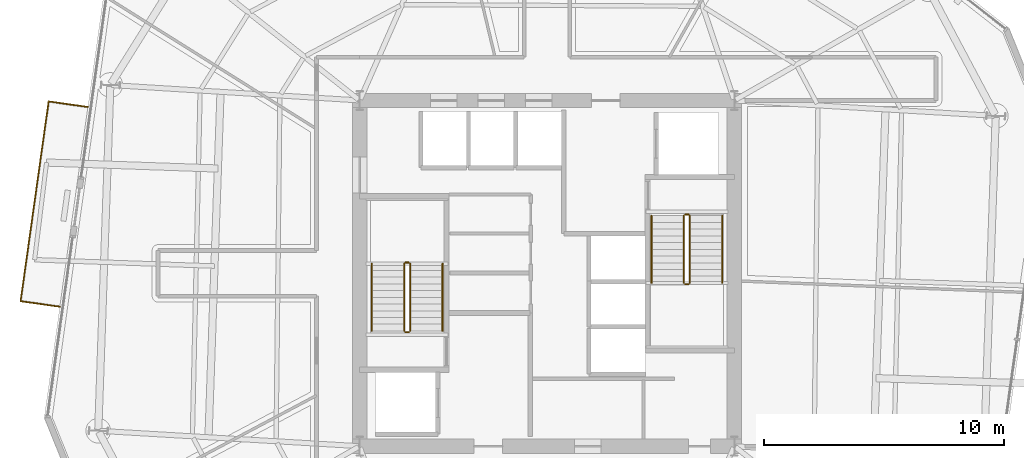
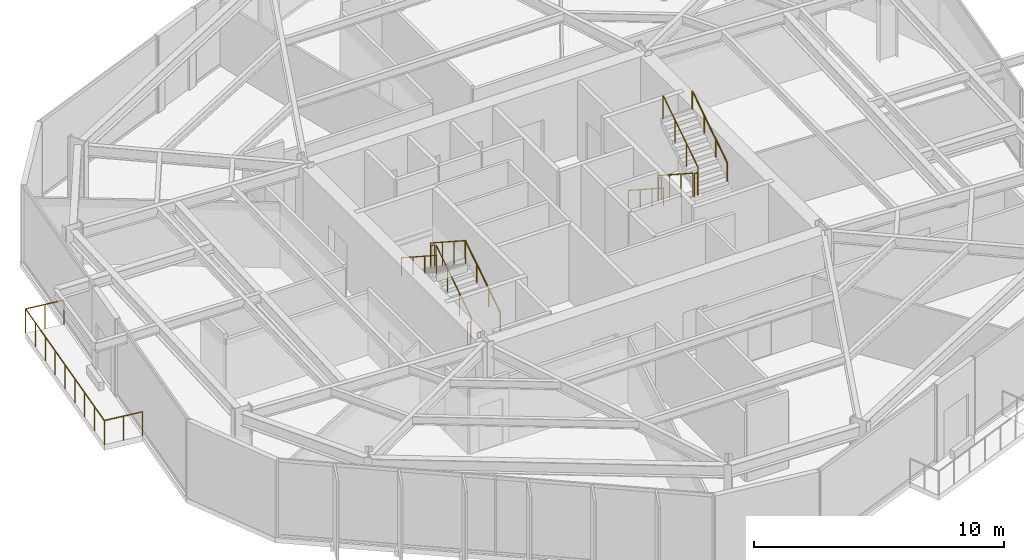
# One storey, part 11 of 12: 13 railings.
"""IFC4 building model written with IfcOpenShell, lengths in metres."""

import ifcopenshell
import ifcopenshell.guid

model = None  # the IFC model being written
_history = None  # IfcOwnerHistory: only IFC2X3 demands one
_inside = {}  # id of a spatial element -> (the spatial element, [elements in it])
_under = {}  # id of a project, library or spatial element -> (it, [spatial elements below it])
_declared = {}  # id of a project -> (the project, [libraries it declares])
_typed = {}  # id of a type object -> (the type object, [elements of that type])
_made_of = {}  # id of a material, layer set ... -> (it, [elements and type objects made of it])


def new_model(schema):
    """Start an empty IFC model of exactly this schema.

    Asked for "IFC4X3", IfcOpenShell would pick the latest addendum, in which some entities
    have other attributes; the version numbers below select the first issue.
    IFC2X3 requires an IfcOwnerHistory on every rooted entity: one is made here for all.
    """
    global model, _history
    if schema == "IFC4X3":
        model = ifcopenshell.file(schema_version=(4, 3, 0, 0))
    else:
        model = ifcopenshell.file(schema=schema)
    _inside.clear()
    _under.clear()
    _declared.clear()
    _typed.clear()
    _made_of.clear()
    _history = None
    if model.schema == "IFC2X3":
        org = make("IfcOrganization", Name="unknown")
        user = make(
            "IfcPersonAndOrganization",
            ThePerson=make("IfcPerson", FamilyName="unknown"),
            TheOrganization=org,
        )
        app = make(
            "IfcApplication",
            ApplicationDeveloper=org,
            Version="unknown",
            ApplicationFullName="unknown",
            ApplicationIdentifier="unknown",
        )
        _history = make(
            "IfcOwnerHistory",
            OwningUser=user,
            OwningApplication=app,
            ChangeAction="ADDED",
            CreationDate=0,
        )
    return model


def make(cls, **values):
    """One entity of the class cls with the attributes given. An attribute that is None is left unset."""
    return model.create_entity(
        cls, **{name: value for name, value in values.items() if value is not None}
    )


def rooted(cls, **values):
    """An entity with a GlobalId (a new one), such as an element, a storey or a relation."""
    return make(cls, GlobalId=ifcopenshell.guid.new(), OwnerHistory=_history, **values)


def si_unit(unit_type, name, prefix=None):
    """IfcSIUnit, for example si_unit("LENGTHUNIT", "METRE", prefix="MILLI")."""
    return make("IfcSIUnit", UnitType=unit_type, Prefix=prefix, Name=name)


def assignment(units):
    """IfcUnitAssignment: the units of a project."""
    return None if units is None else make("IfcUnitAssignment", Units=units)


def point(xyz):
    """IfcCartesianPoint."""
    return None if xyz is None else make("IfcCartesianPoint", Coordinates=xyz)


def direction(xyz):
    """IfcDirection."""
    return None if xyz is None else make("IfcDirection", DirectionRatios=xyz)


def frame(location, z_axis=None, x_axis=None):
    """IfcAxis2Placement3D, a coordinate frame: its origin and axes. An axis left out is left unset."""
    return make(
        "IfcAxis2Placement3D",
        Location=point(location),
        Axis=direction(z_axis),
        RefDirection=direction(x_axis),
    )


def frame_2d(location, x_axis=None):
    """IfcAxis2Placement2D, a coordinate frame in the plane: its origin and x axis."""
    return make(
        "IfcAxis2Placement2D", Location=point(location), RefDirection=direction(x_axis)
    )


def origin():
    """The frame at (0, 0, 0) with its axes left unset."""
    return frame((0.0, 0.0, 0.0))


def origin_2d():
    """The frame at (0, 0) in the plane with its x axis left unset."""
    return frame_2d((0.0, 0.0))


def place(relative_to, where):
    """IfcLocalPlacement: puts the frame where relative to a parent placement (None: the world)."""
    return make(
        "IfcLocalPlacement", PlacementRelTo=relative_to, RelativePlacement=where
    )


def context(
    kind, dimensions, precision=None, world=None, true_north=None, identifier=None
):
    """IfcGeometricRepresentationContext, for example the 3D "Model" context."""
    return make(
        "IfcGeometricRepresentationContext",
        ContextIdentifier=identifier,
        ContextType=kind,
        CoordinateSpaceDimension=dimensions,
        Precision=precision,
        WorldCoordinateSystem=world,
        TrueNorth=true_north,
    )


def subcontext(parent, identifier, kind, view, scale=None):
    """IfcGeometricRepresentationSubContext, for example "Body" below "Model"."""
    return make(
        "IfcGeometricRepresentationSubContext",
        ContextIdentifier=identifier,
        ContextType=kind,
        ParentContext=parent,
        TargetScale=scale,
        TargetView=view,
    )


def project(units=None, contexts=None):
    """IfcProject with its units and contexts."""
    return rooted(
        "IfcProject",
        Name="project",
        RepresentationContexts=contexts,
        UnitsInContext=assignment(units),
    )


def spatial(cls, under=None, at=None, **own):
    """A site, building, storey or space (cls), placed at a placement, below another one or the project."""
    s = rooted(cls, ObjectPlacement=at, **own)
    if under is not None:
        _under.setdefault(under.id(), (under, []))[1].append(s)
    return s


def profile(cls, at=None, kind="AREA", **sizes):
    """A parametric profile (cls). Its sizes go by their IFC names, for example OverallWidth=200.0."""
    return make(cls, ProfileType=kind, Position=at, **sizes)


def circle(**sizes):
    """IfcCircleProfileDef."""
    return profile("IfcCircleProfileDef", **sizes)


def extrude(swept, where, along, depth):
    """IfcExtrudedAreaSolid: the profile swept, set in the frame where, extruded along a direction by depth."""
    return make(
        "IfcExtrudedAreaSolid",
        SweptArea=swept,
        Position=where,
        ExtrudedDirection=direction(along),
        Depth=depth,
    )


def shape(context_of_items, identifier, shape_type, items):
    """IfcShapeRepresentation: the items that make up one representation, for example the "Body"."""
    return make(
        "IfcShapeRepresentation",
        ContextOfItems=context_of_items,
        RepresentationIdentifier=identifier,
        RepresentationType=shape_type,
        Items=items,
    )


def material(Name=None, Category=None):
    """IfcMaterial."""
    return make("IfcMaterial", Name=Name, Category=Category)


def made_of(thing, what):
    """Note that an element or type object is made of a material, layer set ...; save() writes the relation."""
    if what is not None:
        _made_of.setdefault(what.id(), (what, []))[1].append(thing)
    return thing


def type_object(cls, material=None, **own):
    """A type object (cls), such as IfcWallType, which elements share."""
    return made_of(rooted(cls, **own), material)


def element(
    cls,
    number,
    at=None,
    inside=None,
    cuts=None,
    type_object=None,
    material=None,
    context=None,
    identifier="Body",
    shape_type=None,
    held_by="IfcProductDefinitionShape",
    body=None,
    shapes=None,
    **own,
):
    """One element of the class cls, such as IfcWall. Its Tag is "e" and its number.

    at: its placement. inside: the storey or other place that contains it. cuts: it is an
    opening in that element (IfcRelVoidsElement). A single representation is given by context,
    identifier, shape_type and body (its items); several are given by shapes. held_by: the class
    of the entity that holds the representations. save() writes the other relations.
    """
    e = rooted(cls, Tag="e%d" % number, ObjectPlacement=at, **own)
    if body is not None:
        shapes = [shape(context, identifier, shape_type, body)]
    if shapes is not None:
        e.Representation = make(held_by, Representations=shapes)
    if inside is not None:
        _inside.setdefault(inside.id(), (inside, []))[1].append(e)
    if cuts is not None:
        rooted(
            "IfcRelVoidsElement", RelatingBuildingElement=cuts, RelatedOpeningElement=e
        )
    if type_object is not None:
        _typed.setdefault(type_object.id(), (type_object, []))[1].append(e)
    return made_of(e, material)


def aggregate(whole, parts):
    """IfcRelAggregates: a whole, such as a stair, and the parts it consists of."""
    return rooted("IfcRelAggregates", RelatingObject=whole, RelatedObjects=parts)


def save(model, path):
    """Write the relations noted so far, then the file.

    IfcRelAggregates (storeys below a building ...), IfcRelContainedInSpatialStructure (elements
    in a storey), IfcRelDefinesByType, IfcRelAssociatesMaterial and IfcRelDeclares: one each for
    every whole, place, type object, material and project.
    """
    for whole, parts in _under.values():
        aggregate(whole, parts)
    for where, things in _inside.values():
        rooted(
            "IfcRelContainedInSpatialStructure",
            RelatedElements=things,
            RelatingStructure=where,
        )
    for kind, things in _typed.values():
        rooted("IfcRelDefinesByType", RelatedObjects=things, RelatingType=kind)
    for what, things in _made_of.values():
        rooted("IfcRelAssociatesMaterial", RelatedObjects=things, RelatingMaterial=what)
    for by, libraries in _declared.values():
        rooted("IfcRelDeclares", RelatingContext=by, RelatedDefinitions=libraries)
    model.write(path)


model = new_model("IFC4")

# Units and contexts
model_context = context("Model", 3, precision=1e-05, world=origin(), true_north=direction((0.0, 1.0)))
body_context = subcontext(model_context, "Body", "Model", "MODEL_VIEW")
ifc_project = project(units=[si_unit("LENGTHUNIT", "METRE"), si_unit("AREAUNIT", "SQUARE_METRE"), si_unit("VOLUMEUNIT", "CUBIC_METRE"), si_unit("PLANEANGLEUNIT", "RADIAN"), si_unit("MASSUNIT", "GRAM", prefix="KILO")], contexts=[model_context])

# Site, building, storey
site_placement = place(None, origin())
site = spatial("IfcSite", under=ifc_project, at=site_placement, CompositionType="ELEMENT")
building_placement = place(site_placement, origin())
building = spatial("IfcBuilding", under=site, at=building_placement, Name="Kranzbogen Civic Tower", CompositionType="ELEMENT")
storey_placement = place(building_placement, frame((0.0, 0.0, 110.39990234375)))
storey = spatial("IfcBuildingStorey", under=building, at=storey_placement, Name="L26", CompositionType="ELEMENT", Elevation=110.39990234375)

# Railings
ifc_material_1 = material(Name="Anodised Bronze Aluminium", Category="aluminium")
railing_type_1 = type_object("IfcRailingType", Name="Cantilevered Balcony Glass and Bronze Balustrade 1200", PredefinedType="BALUSTRADE", material=ifc_material_1)
railing_1_placement = place(storey_placement, frame((5.8779296875, 31.928955078125, 0.0)))
element("IfcRailing", 1, at=railing_1_placement, inside=storey, type_object=railing_type_1, Name="L26 exterior terrace balustrade L26-ST", PredefinedType="BALUSTRADE", context=body_context, shape_type="SweptSolid", body=[
    extrude(circle(Radius=0.02392578125, at=origin_2d()), frame((0.0, 0.0, 1.17578125), z_axis=(-0.990240314057, 0.139370443126, 0.0), x_axis=(-0.139370443126, -0.990240314057, 0.0)), (0.0, 0.0, 1.0), 1.650146484375),
    extrude(circle(Radius=0.02392578125, at=origin_2d()), frame((-1.634033203125, 0.22998046875, 1.17578125), z_axis=(-0.139150631905, -0.990271226301, 0.0), x_axis=(0.990271226301, -0.139150631905, 0.0)), (0.0, 0.0, 1.0), 8.400634765625),
    extrude(circle(Radius=0.02392578125, at=origin_2d()), frame((-2.802978515625, -8.0888671875, 1.17578125), z_axis=(0.990240314057, -0.139370443126, 0.0), x_axis=(0.139370443126, 0.990240314057, 0.0)), (0.0, 0.0, 1.0), 1.650146484375),
    extrude(circle(Radius=0.02099609375, at=origin_2d()), origin(), (0.0, 0.0, 1.0), 1.15185546875),
    extrude(circle(Radius=0.02099609375, at=origin_2d()), frame((-0.81689453125, 0.114990234375, 0.0)), (0.0, 0.0, 1.0), 1.15185546875),
    extrude(circle(Radius=0.02099609375, at=origin_2d()), frame((-1.634033203125, 0.22998046875, 0.0)), (0.0, 0.0, 1.0), 1.15185546875),
    extrude(circle(Radius=0.02099609375, at=origin_2d()), frame((-1.7802734375, -0.809814453125, 0.0)), (0.0, 0.0, 1.0), 1.15185546875),
    extrude(circle(Radius=0.02099609375, at=origin_2d()), frame((-1.92626953125, -1.849609375, 0.0)), (0.0, 0.0, 1.0), 1.15185546875),
    extrude(circle(Radius=0.02099609375, at=origin_2d()), frame((-2.072265625, -2.8896484375, 0.0)), (0.0, 0.0, 1.0), 1.15185546875),
    extrude(circle(Radius=0.02099609375, at=origin_2d()), frame((-2.218505859375, -3.929443359375, 0.0)), (0.0, 0.0, 1.0), 1.15185546875),
    extrude(circle(Radius=0.02099609375, at=origin_2d()), frame((-2.36474609375, -4.96923828125, 0.0)), (0.0, 0.0, 1.0), 1.15185546875),
    extrude(circle(Radius=0.02099609375, at=origin_2d()), frame((-2.5107421875, -6.00927734375, 0.0)), (0.0, 0.0, 1.0), 1.15185546875),
    extrude(circle(Radius=0.02099609375, at=origin_2d()), frame((-2.65673828125, -7.049072265625, 0.0)), (0.0, 0.0, 1.0), 1.15185546875),
    extrude(circle(Radius=0.02099609375, at=origin_2d()), frame((-2.802978515625, -8.0888671875, 0.0)), (0.0, 0.0, 1.0), 1.15185546875),
    extrude(circle(Radius=0.02099609375, at=origin_2d()), frame((-1.98583984375, -8.203857421875, 0.0)), (0.0, 0.0, 1.0), 1.15185546875),
    extrude(circle(Radius=0.02099609375, at=origin_2d()), frame((-1.1689453125, -8.31884765625, 0.0)), (0.0, 0.0, 1.0), 1.15185546875),
])
ifc_material_2 = material(Name="Steel S355", Category="steel")
railing_type_2 = type_object("IfcRailingType", Name="Internal Stair and Void Steel Guardrail 1150", PredefinedType="GUARDRAIL", material=ifc_material_2)
railing_2_placement = place(storey_placement, frame((19.300048828125, 22.60009765625, 0.181884765625)))
element("IfcRailing", 2, at=railing_2_placement, inside=storey, type_object=railing_type_2, Name="L26 ST-T1 stair guard 1", PredefinedType="GUARDRAIL", context=body_context, shape_type="SweptSolid", body=[
    extrude(circle(Radius=0.02392578125, at=origin_2d()), frame((0.0, 0.0, 1.1259765625), z_axis=(0.0, 0.83868413941, 0.544618136222), x_axis=(-1.0, 0.0, 0.0)), (0.0, 0.0, 1.0), 3.33837890625),
    extrude(circle(Radius=0.02099609375, at=origin_2d()), origin(), (0.0, 0.0, 1.0), 1.101806640625),
    extrude(circle(Radius=0.02099609375, at=origin_2d()), frame((0.0, 0.933349609375, 0.60595703125)), (0.0, 0.0, 1.0), 1.101806640625),
    extrude(circle(Radius=0.02099609375, at=origin_2d()), frame((0.0, 1.866455078125, 1.212158203125)), (0.0, 0.0, 1.0), 1.101806640625),
    extrude(circle(Radius=0.02099609375, at=origin_2d()), frame((0.0, 2.7998046875, 1.818115234375)), (0.0, 0.0, 1.0), 1.101806640625),
])
railing_3_placement = place(storey_placement, frame((19.25, 25.449951171875, 2.0)))
element("IfcRailing", 3, at=railing_3_placement, inside=storey, type_object=railing_type_2, Name="L26 ST-T1 stair guard 2", PredefinedType="GUARDRAIL", context=body_context, shape_type="SweptSolid", body=[
    extrude(circle(Radius=0.02392578125, at=origin_2d()), frame((0.0, 0.0, 1.1259765625), z_axis=(-1.0, 0.0, 0.0), x_axis=(0.0, -1.0, 0.0)), (0.0, 0.0, 1.0), 0.14990234375),
    extrude(circle(Radius=0.02099609375, at=origin_2d()), origin(), (0.0, 0.0, 1.0), 1.101806640625),
    extrude(circle(Radius=0.02099609375, at=origin_2d()), frame((-0.14990234375, 0.0, 0.0)), (0.0, 0.0, 1.0), 1.101806640625),
])
railing_4_placement = place(storey_placement, frame((19.050048828125, 25.39990234375, 2.181884765625)))
element("IfcRailing", 4, at=railing_4_placement, inside=storey, type_object=railing_type_2, Name="L26 ST-T1 stair guard 3", PredefinedType="GUARDRAIL", context=body_context, shape_type="SweptSolid", body=[
    extrude(circle(Radius=0.02392578125, at=origin_2d()), frame((0.0, 0.0, 1.1259765625), z_axis=(0.0, -0.83868413941, 0.544618136222), x_axis=(1.0, 0.0, 0.0)), (0.0, 0.0, 1.0), 3.33837890625),
    extrude(circle(Radius=0.02099609375, at=origin_2d()), origin(), (0.0, 0.0, 1.0), 1.101806640625),
    extrude(circle(Radius=0.02099609375, at=origin_2d()), frame((0.0, -0.933349609375, 0.60595703125)), (0.0, 0.0, 1.0), 1.101806640625),
    extrude(circle(Radius=0.02099609375, at=origin_2d()), frame((0.0, -1.866455078125, 1.212158203125)), (0.0, 0.0, 1.0), 1.101806640625),
    extrude(circle(Radius=0.02099609375, at=origin_2d()), frame((0.0, -2.7998046875, 1.818115234375)), (0.0, 0.0, 1.0), 1.101806640625),
])
railing_5_placement = place(storey_placement, frame((19.25, 22.550048828125, 0.0)))
element("IfcRailing", 5, at=railing_5_placement, inside=storey, type_object=railing_type_2, Name="L26 ST-T1 stair guard 4", PredefinedType="GUARDRAIL", context=body_context, shape_type="SweptSolid", body=[
    extrude(circle(Radius=0.02392578125, at=origin_2d()), frame((0.0, 0.0, 1.1259765625), z_axis=(-1.0, 0.0, 0.0), x_axis=(0.0, -1.0, 0.0)), (0.0, 0.0, 1.0), 0.14990234375),
    extrude(circle(Radius=0.02099609375, at=origin_2d()), origin(), (0.0, 0.0, 1.0), 1.101806640625),
    extrude(circle(Radius=0.02099609375, at=origin_2d()), frame((-0.14990234375, 0.0, 0.0)), (0.0, 0.0, 1.0), 1.101806640625),
])
railing_6_placement = place(storey_placement, frame((30.699951171875, 27.39990234375, 0.181884765625)))
element("IfcRailing", 6, at=railing_6_placement, inside=storey, type_object=railing_type_2, Name="L26 ST-T2 stair guard 1", PredefinedType="GUARDRAIL", context=body_context, shape_type="SweptSolid", body=[
    extrude(circle(Radius=0.02392578125, at=origin_2d()), frame((0.0, 0.0, 1.1259765625), z_axis=(0.0, -0.83868413941, 0.544618136222), x_axis=(1.0, 0.0, 0.0)), (0.0, 0.0, 1.0), 3.33837890625),
    extrude(circle(Radius=0.02099609375, at=origin_2d()), origin(), (0.0, 0.0, 1.0), 1.101806640625),
    extrude(circle(Radius=0.02099609375, at=origin_2d()), frame((0.0, -0.933349609375, 0.60595703125)), (0.0, 0.0, 1.0), 1.101806640625),
    extrude(circle(Radius=0.02099609375, at=origin_2d()), frame((0.0, -1.866455078125, 1.212158203125)), (0.0, 0.0, 1.0), 1.101806640625),
    extrude(circle(Radius=0.02099609375, at=origin_2d()), frame((0.0, -2.7998046875, 1.818115234375)), (0.0, 0.0, 1.0), 1.101806640625),
])
railing_7_placement = place(storey_placement, frame((30.75, 24.550048828125, 2.0)))
element("IfcRailing", 7, at=railing_7_placement, inside=storey, type_object=railing_type_2, Name="L26 ST-T2 stair guard 2", PredefinedType="GUARDRAIL", context=body_context, shape_type="SweptSolid", body=[
    extrude(circle(Radius=0.02392578125, at=origin_2d()), frame((0.0, 0.0, 1.1259765625), z_axis=(1.0, 0.0, 0.0), x_axis=(0.0, 1.0, 0.0)), (0.0, 0.0, 1.0), 0.14990234375),
    extrude(circle(Radius=0.02099609375, at=origin_2d()), origin(), (0.0, 0.0, 1.0), 1.101806640625),
    extrude(circle(Radius=0.02099609375, at=origin_2d()), frame((0.14990234375, 0.0, 0.0)), (0.0, 0.0, 1.0), 1.101806640625),
])
railing_8_placement = place(storey_placement, frame((30.949951171875, 24.60009765625, 2.181884765625)))
element("IfcRailing", 8, at=railing_8_placement, inside=storey, type_object=railing_type_2, Name="L26 ST-T2 stair guard 3", PredefinedType="GUARDRAIL", context=body_context, shape_type="SweptSolid", body=[
    extrude(circle(Radius=0.02392578125, at=origin_2d()), frame((0.0, 0.0, 1.1259765625), z_axis=(0.0, 0.83868413941, 0.544618136222), x_axis=(-1.0, 0.0, 0.0)), (0.0, 0.0, 1.0), 3.33837890625),
    extrude(circle(Radius=0.02099609375, at=origin_2d()), origin(), (0.0, 0.0, 1.0), 1.101806640625),
    extrude(circle(Radius=0.02099609375, at=origin_2d()), frame((0.0, 0.933349609375, 0.60595703125)), (0.0, 0.0, 1.0), 1.101806640625),
    extrude(circle(Radius=0.02099609375, at=origin_2d()), frame((0.0, 1.866455078125, 1.212158203125)), (0.0, 0.0, 1.0), 1.101806640625),
    extrude(circle(Radius=0.02099609375, at=origin_2d()), frame((0.0, 2.7998046875, 1.818115234375)), (0.0, 0.0, 1.0), 1.101806640625),
])
railing_9_placement = place(storey_placement, frame((30.75, 27.449951171875, 0.0)))
element("IfcRailing", 9, at=railing_9_placement, inside=storey, type_object=railing_type_2, Name="L26 ST-T2 stair guard 4", PredefinedType="GUARDRAIL", context=body_context, shape_type="SweptSolid", body=[
    extrude(circle(Radius=0.02392578125, at=origin_2d()), frame((0.0, 0.0, 1.1259765625), z_axis=(1.0, 0.0, 0.0), x_axis=(0.0, 1.0, 0.0)), (0.0, 0.0, 1.0), 0.14990234375),
    extrude(circle(Radius=0.02099609375, at=origin_2d()), origin(), (0.0, 0.0, 1.0), 1.101806640625),
    extrude(circle(Radius=0.02099609375, at=origin_2d()), frame((0.14990234375, 0.0, 0.0)), (0.0, 0.0, 1.0), 1.101806640625),
])
ifc_material_3 = material(Name="Pale Anodised Aluminium", Category="aluminium")
railing_type_3 = type_object("IfcRailingType", Name="Tubular Stainless Stair Wall Handrail 900", PredefinedType="HANDRAIL", material=ifc_material_3)
railing_10_placement = place(storey_placement, frame((20.64990234375, 22.60009765625, 0.181884765625)))
element("IfcRailing", 10, at=railing_10_placement, inside=storey, type_object=railing_type_3, Name="L26 ST-T1 stair handrail 1", PredefinedType="HANDRAIL", context=body_context, shape_type="SweptSolid", body=[
    extrude(circle(Radius=0.02392578125, at=origin_2d()), frame((0.0, 0.0, 0.8759765625), z_axis=(0.0, 0.83868413941, 0.544618136222), x_axis=(-1.0, 0.0, 0.0)), (0.0, 0.0, 1.0), 3.33837890625),
    extrude(circle(Radius=0.02099609375, at=origin_2d()), origin(), (0.0, 0.0, 1.0), 0.851806640625),
    extrude(circle(Radius=0.02099609375, at=origin_2d()), frame((0.0, 0.933349609375, 0.60595703125)), (0.0, 0.0, 1.0), 0.851806640625),
    extrude(circle(Radius=0.02099609375, at=origin_2d()), frame((0.0, 1.866455078125, 1.212158203125)), (0.0, 0.0, 1.0), 0.851806640625),
    extrude(circle(Radius=0.02099609375, at=origin_2d()), frame((0.0, 2.7998046875, 1.818115234375)), (0.0, 0.0, 1.0), 0.851806640625),
])
for number, where, name in (
    (11, (17.699951171875, 25.39990234375, 2.181884765625), "L26 ST-T1 stair handrail 2"),
    (12, (29.35009765625, 27.39990234375, 0.181884765625), "L26 ST-T2 stair handrail 1"),
):
    element("IfcRailing", number, at=place(storey_placement, frame(where)), inside=storey, type_object=railing_type_3, Name=name, PredefinedType="HANDRAIL", context=body_context, shape_type="SweptSolid", body=[
        extrude(circle(Radius=0.02392578125, at=origin_2d()), frame((0.0, 0.0, 0.8759765625), z_axis=(0.0, -0.83868413941, 0.544618136222), x_axis=(1.0, 0.0, 0.0)), (0.0, 0.0, 1.0), 3.33837890625),
        extrude(circle(Radius=0.02099609375, at=origin_2d()), origin(), (0.0, 0.0, 1.0), 0.851806640625),
        extrude(circle(Radius=0.02099609375, at=origin_2d()), frame((0.0, -0.933349609375, 0.60595703125)), (0.0, 0.0, 1.0), 0.851806640625),
        extrude(circle(Radius=0.02099609375, at=origin_2d()), frame((0.0, -1.866455078125, 1.212158203125)), (0.0, 0.0, 1.0), 0.851806640625),
        extrude(circle(Radius=0.02099609375, at=origin_2d()), frame((0.0, -2.7998046875, 1.818115234375)), (0.0, 0.0, 1.0), 0.851806640625),
    ])
railing_11_placement = place(storey_placement, frame((32.300048828125, 24.60009765625, 2.181884765625)))
element("IfcRailing", 13, at=railing_11_placement, inside=storey, type_object=railing_type_3, Name="L26 ST-T2 stair handrail 2", PredefinedType="HANDRAIL", context=body_context, shape_type="SweptSolid", body=[
    extrude(circle(Radius=0.02392578125, at=origin_2d()), frame((0.0, 0.0, 0.8759765625), z_axis=(0.0, 0.83868413941, 0.544618136222), x_axis=(-1.0, 0.0, 0.0)), (0.0, 0.0, 1.0), 3.33837890625),
    extrude(circle(Radius=0.02099609375, at=origin_2d()), origin(), (0.0, 0.0, 1.0), 0.851806640625),
    extrude(circle(Radius=0.02099609375, at=origin_2d()), frame((0.0, 0.933349609375, 0.60595703125)), (0.0, 0.0, 1.0), 0.851806640625),
    extrude(circle(Radius=0.02099609375, at=origin_2d()), frame((0.0, 1.866455078125, 1.212158203125)), (0.0, 0.0, 1.0), 0.851806640625),
    extrude(circle(Radius=0.02099609375, at=origin_2d()), frame((0.0, 2.7998046875, 1.818115234375)), (0.0, 0.0, 1.0), 0.851806640625),
])

save(model, "model.ifc")
